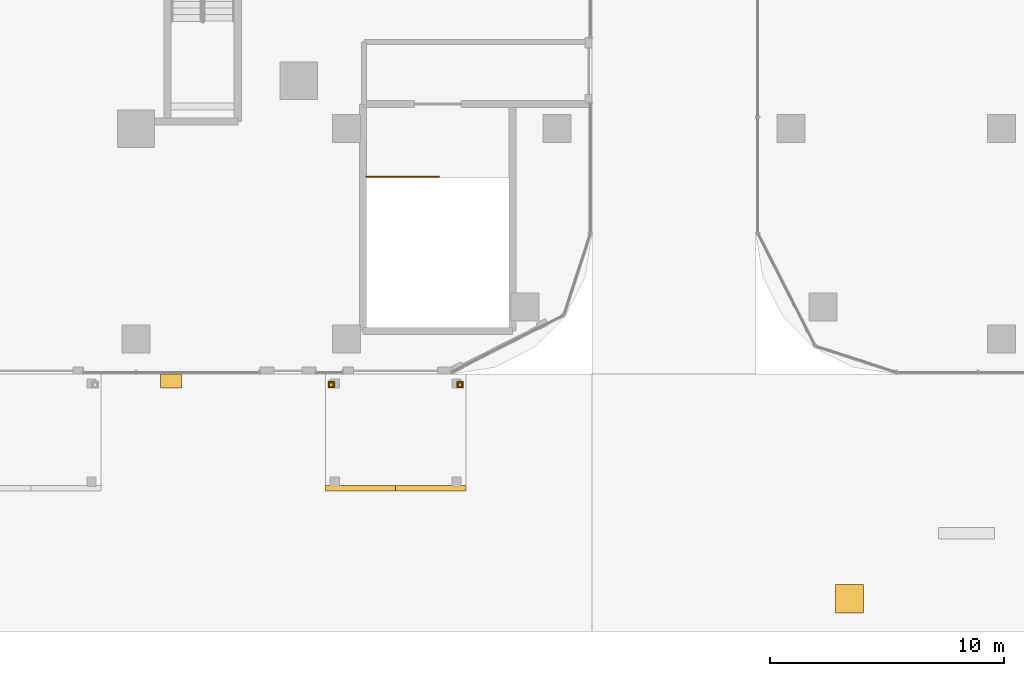
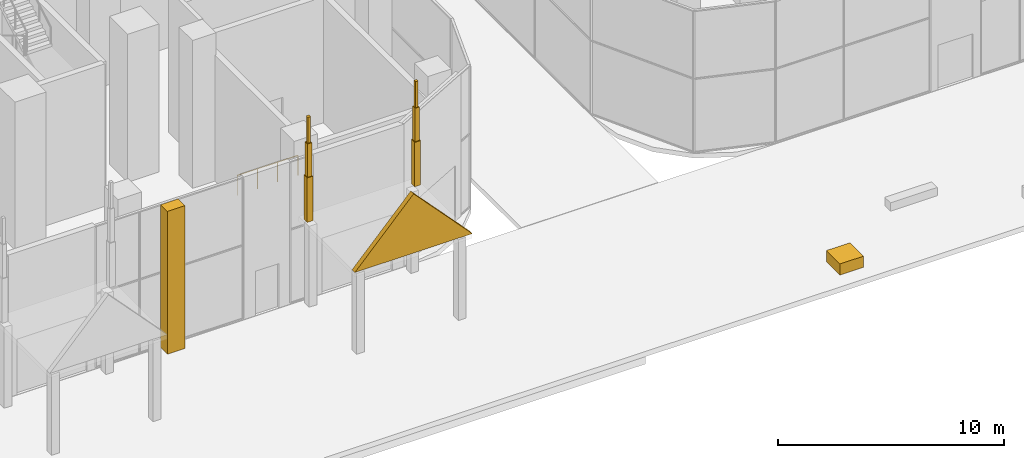
# One storey, part 47 of 54: 9 coverings, 1 railing.
"""IFC4 building model written with IfcOpenShell, lengths in metres."""

from ifc_helpers import new_model, si_unit, direction, frame, origin, origin_2d, place, context, subcontext, project, spatial, polyline, rectangle, circle, outline, extrude, material, layer, layer_set, type_object, element, save


model = new_model("IFC4")

# Units and contexts
model_context = context("Model", 3, precision=1e-05, world=origin(), true_north=direction((0.0, 1.0)))
body_context = subcontext(model_context, "Body", "Model", "MODEL_VIEW")
ifc_project = project(units=[si_unit("LENGTHUNIT", "METRE"), si_unit("AREAUNIT", "SQUARE_METRE"), si_unit("VOLUMEUNIT", "CUBIC_METRE"), si_unit("PLANEANGLEUNIT", "RADIAN"), si_unit("MASSUNIT", "GRAM", prefix="KILO")], contexts=[model_context])

# Site, building, storey
site_placement = place(None, origin())
site = spatial("IfcSite", under=ifc_project, at=site_placement, CompositionType="ELEMENT")
building_placement = place(site_placement, origin())
building = spatial("IfcBuilding", under=site, at=building_placement, Name="Ogive Portal Towers", CompositionType="ELEMENT")
storey_placement = place(building_placement, origin())
storey = spatial("IfcBuildingStorey", under=building, at=storey_placement, Name="L00", CompositionType="ELEMENT", Elevation=0.0)

# Coverings
ifc_material_1 = material(Name="Limestone cladding on lightweight block wall", Category="masonry")
ifc_layer_1 = layer(ifc_material_1, 0.139892578125)
ifc_layer_set_1 = layer_set([ifc_layer_1], Name="CROWN PINNACLE FINIAL STONE")
covering_type_1 = type_object("IfcCoveringType", Name="CROWN PINNACLE FINIAL STONE", PredefinedType="CLADDING", material=ifc_layer_set_1)
for number, where, z_axis, x_axis, name in (
    (1, (93.85009765625, 10.550048828125, 8.800048828125), (0.0, 0.0, 1.0), (1.0, 0.0, 0.0), "PINNACLE"),
    (2, (99.35009765625, 10.550048828125, 8.800048828125), (0.0, 0.0, 1.0), (1.0, 0.0, 0.0), "PINNACLE"),
):
    element("IfcCovering", number, at=place(storey_placement, frame(where, z_axis=z_axis, x_axis=x_axis)), inside=storey, type_object=covering_type_1, Name=name, PredefinedType="CLADDING", context=body_context, shape_type="SweptSolid", body=[
        extrude(rectangle(XDim=0.139892578125, YDim=0.139892578125, at=origin_2d()), origin(), (0.0, 0.0, 1.0), 1.39990234375),
    ])
ifc_layer_2 = layer(ifc_material_1, 0.219970703125)
ifc_layer_set_2 = layer_set([ifc_layer_2], Name="CROWN PINNACLE MID STONE")
covering_type_2 = type_object("IfcCoveringType", Name="CROWN PINNACLE MID STONE", PredefinedType="CLADDING", material=ifc_layer_set_2)
for number, where, z_axis, x_axis, name in (
    (3, (93.85009765625, 10.550048828125, 7.0), (0.0, 0.0, 1.0), (1.0, 0.0, 0.0), "PINNACLE"),
    (4, (99.35009765625, 10.550048828125, 7.0), (0.0, 0.0, 1.0), (1.0, 0.0, 0.0), "PINNACLE"),
):
    element("IfcCovering", number, at=place(storey_placement, frame(where, z_axis=z_axis, x_axis=x_axis)), inside=storey, type_object=covering_type_2, Name=name, PredefinedType="CLADDING", context=body_context, shape_type="SweptSolid", body=[
        extrude(rectangle(XDim=0.219970703125, YDim=0.219970703125, at=origin_2d()), origin(), (0.0, 0.0, 1.0), 1.800048828125),
    ])
ifc_layer_3 = layer(ifc_material_1, 0.300048828125)
ifc_layer_set_3 = layer_set([ifc_layer_3], Name="CROWN PINNACLE SHAFT STONE")
covering_type_3 = type_object("IfcCoveringType", Name="CROWN PINNACLE SHAFT STONE", PredefinedType="CLADDING", material=ifc_layer_set_3)
for number, where, z_axis, x_axis, name in (
    (5, (93.85009765625, 10.550048828125, 4.60009765625), (0.0, 0.0, 1.0), (1.0, 0.0, 0.0), "PINNACLE"),
    (6, (99.35009765625, 10.550048828125, 4.60009765625), (0.0, 0.0, 1.0), (1.0, 0.0, 0.0), "PINNACLE"),
):
    element("IfcCovering", number, at=place(storey_placement, frame(where, z_axis=z_axis, x_axis=x_axis)), inside=storey, type_object=covering_type_3, Name=name, PredefinedType="CLADDING", context=body_context, shape_type="SweptSolid", body=[
        extrude(rectangle(XDim=0.300048828125, YDim=0.300048828125, at=origin_2d()), origin(), (0.0, 0.0, 1.0), 2.39990234375),
    ])

# Railing
ifc_material_2 = material(Name="Stainless steel balustrade", Category="steel")
railing_type = type_object("IfcRailingType", Name="INT-GUARD", PredefinedType="GUARDRAIL", material=ifc_material_2)
railing_placement = place(storey_placement, frame((95.35009765625, 19.449951171875, 0.0)))
element("IfcRailing", 7, at=railing_placement, inside=storey, type_object=railing_type, Name="L00 ST-S2 top well guard 1", PredefinedType="GUARDRAIL", context=body_context, shape_type="SweptSolid", body=[
    extrude(circle(Radius=0.02392578125, at=origin_2d()), frame((0.0, 0.0, 1.076171875), z_axis=(1.0, 0.0, 0.0), x_axis=(0.0, 1.0, 0.0)), (0.0, 0.0, 1.0), 3.099853515625),
    extrude(circle(Radius=0.02099609375, at=origin_2d()), origin(), (0.0, 0.0, 1.0), 1.052001953125),
    extrude(circle(Radius=0.02099609375, at=origin_2d()), frame((1.033203125, 0.0, 0.0)), (0.0, 0.0, 1.0), 1.052001953125),
    extrude(circle(Radius=0.02099609375, at=origin_2d()), frame((2.066650390625, 0.0, 0.0)), (0.0, 0.0, 1.0), 1.052001953125),
    extrude(circle(Radius=0.02099609375, at=origin_2d()), frame((3.099853515625, 0.0, 0.0)), (0.0, 0.0, 1.0), 1.052001953125),
])

# Coverings
ifc_layer_4 = layer(ifc_material_1, 0.60009765625)
ifc_layer_set_4 = layer_set([ifc_layer_4], Name="PLAZA PLANTER STONE")
covering_type_4 = type_object("IfcCoveringType", Name="PLAZA PLANTER STONE", PredefinedType="CLADDING", material=ifc_layer_set_4)
covering_1_placement = place(storey_placement, frame((116.0, 1.39990234375, -0.02001953125), z_axis=(0.0, 0.0, 1.0), x_axis=(1.0, 0.0, 0.0)))
element("IfcCovering", 8, at=covering_1_placement, inside=storey, type_object=covering_type_4, Name="PLAZA PLANTER", PredefinedType="CLADDING", context=body_context, shape_type="SweptSolid", body=[
    extrude(rectangle(XDim=1.199951171875, YDim=1.199951171875, at=origin_2d()), origin(), (0.0, 0.0, 1.0), 0.60009765625),
])
ifc_layer_5 = layer(ifc_material_1, 0.25)
ifc_layer_set_5 = layer_set([ifc_layer_5], Name="PORCH GABLE STONE")
covering_type_5 = type_object("IfcCoveringType", Name="PORCH GABLE STONE", PredefinedType="CLADDING", material=ifc_layer_set_5)
covering_2_placement = place(storey_placement, frame((93.60009765625, 6.0, 4.60009765625), z_axis=(0.0, -1.0, 0.0), x_axis=(1.0, 0.0, 0.0)))
element("IfcCovering", 9, at=covering_2_placement, inside=storey, type_object=covering_type_5, Name="PORCH GABLE 3", PredefinedType="CLADDING", context=body_context, shape_type="SweptSolid", body=[
    extrude(outline(polyline([(0.0, 0.0), (6.0, 0.0), (3.0, 3.199951171875), (0.0, 0.0)])), origin(), (0.0, 0.0, -1.0), 0.25),
])
ifc_layer_6 = layer(ifc_material_1, 0.60009765625)
ifc_layer_set_6 = layer_set([ifc_layer_6], Name="SHOPFRONT PIER STONE")
covering_type_6 = type_object("IfcCoveringType", Name="SHOPFRONT PIER STONE", PredefinedType="CLADDING", material=ifc_layer_set_6)
covering_3_placement = place(storey_placement, frame((87.0, 10.699951171875, -0.02001953125), z_axis=(0.0, 0.0, 1.0), x_axis=(1.0, 0.0, 0.0)))
element("IfcCovering", 10, at=covering_3_placement, inside=storey, type_object=covering_type_6, Name="SHOPFRONT PIER", PredefinedType="CLADDING", context=body_context, shape_type="SweptSolid", body=[
    extrude(rectangle(XDim=0.89990234375, YDim=0.60009765625, at=origin_2d()), origin(), (0.0, 0.0, 1.0), 7.719970703125),
])

save(model, "model.ifc")
